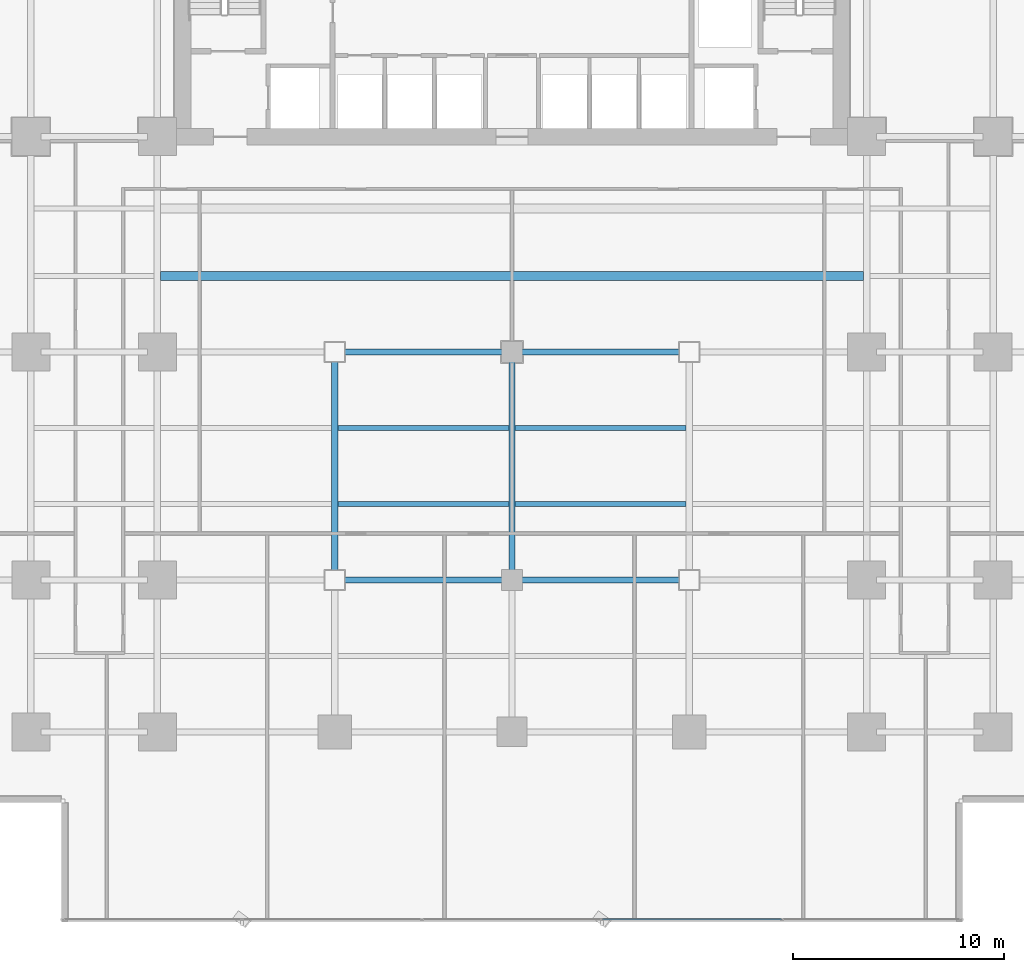
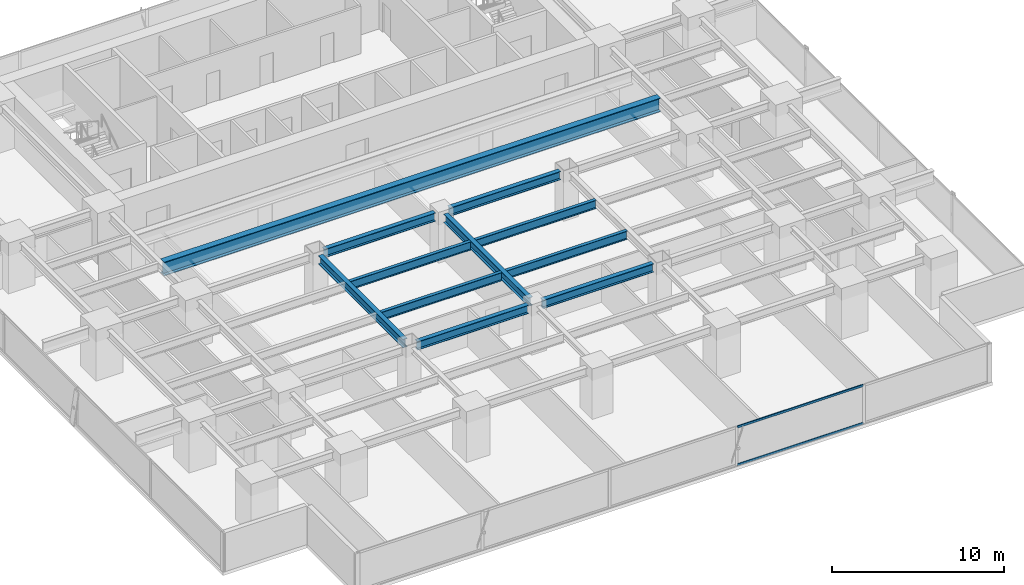
# One storey, part 10 of 33: 11 beams, 2 members, 1 element without a shape of its own.
"""IFC4 building model written with IfcOpenShell, lengths in metres."""

from ifc_helpers import new_model, si_unit, direction, frame, origin, origin_2d, place, context, subcontext, project, spatial, hollow_rectangle, i_section, extrude, source, transform, mapped, material, layer, layer_set, material_profile, profile_set, type_object, element, aggregate, save


model = new_model("IFC4")

# Units and contexts
model_context = context("Model", 3, precision=1e-05, world=origin(), true_north=direction((0.0, 1.0)))
body_context = subcontext(model_context, "Body", "Model", "MODEL_VIEW")
ifc_project = project(units=[si_unit("LENGTHUNIT", "METRE"), si_unit("AREAUNIT", "SQUARE_METRE"), si_unit("VOLUMEUNIT", "CUBIC_METRE"), si_unit("PLANEANGLEUNIT", "RADIAN"), si_unit("MASSUNIT", "GRAM", prefix="KILO")], contexts=[model_context])

# Site, building, storey
site_placement = place(None, origin())
site = spatial("IfcSite", under=ifc_project, at=site_placement, CompositionType="ELEMENT")
building_placement = place(site_placement, origin())
building = spatial("IfcBuilding", under=site, at=building_placement, Name="Sumidabori Civic Tower", CompositionType="ELEMENT")
storey_placement = place(building_placement, frame((0.0, 0.0, 38.0)))
storey = spatial("IfcBuildingStorey", under=building, at=storey_placement, Name="L09", CompositionType="ELEMENT", Elevation=38.0)

# Beams
ifc_material_1 = material(Name="Steel SN490", Category="steel")
ifc_material_profile_1 = material_profile(ifc_material_1, i_section(OverallWidth=0.300048828125, OverallDepth=0.60009765625, WebThickness=0.015380859375, FlangeThickness=0.030029296875, at=origin_2d()), Name="HE 600 B")
ifc_profile_set_1 = profile_set([ifc_material_profile_1], Name="Steel SN490")
beam_type_1 = type_object("IfcBeamType", Name="BM-GIRD-600", PredefinedType="BEAM", material=ifc_profile_set_1)
shared_shape_1 = source(origin(), body_context, "Body", "SweptSolid", [
    extrude(i_section(OverallWidth=0.300048828125, OverallDepth=0.60009765625, WebThickness=0.015380859375, FlangeThickness=0.030029296875, at=origin_2d()), origin(), (0.0, 0.0, 1.0), 7.43994140625),
])
for number, where, z_axis, x_axis, name in (
    (1, (-7.919921875, -10.800048828125, 3.06005859375), (1.0, 0.0, 0.0), (0.0, 1.0, 0.0), "Primary Girder L09 GX-09"),
    (2, (0.47998046875, -10.800048828125, 3.06005859375), (1.0, 0.0, 0.0), (0.0, 1.0, 0.0), "Primary Girder L09 GX-10"),
    (3, (-7.919921875, 0.0, 3.06005859375), (1.0, 0.0, 0.0), (0.0, 1.0, 0.0), "Primary Girder L09 GX-15"),
    (4, (0.47998046875, 0.0, 3.06005859375), (1.0, 0.0, 0.0), (0.0, 1.0, 0.0), "Primary Girder L09 GX-16"),
):
    element("IfcBeam", number, at=place(storey_placement, frame(where, z_axis=z_axis, x_axis=x_axis)), inside=storey, type_object=beam_type_1, Name=name, PredefinedType="BEAM", context=body_context, shape_type="MappedRepresentation", body=[
        mapped(shared_shape_1, transform((0.0, 0.0, 0.0), x_axis=(1.0, 0.0, 0.0), y_axis=(0.0, 1.0, 0.0), z_axis=(0.0, 0.0, 1.0), scale=1.0)),
    ])
shared_shape_2 = source(origin(), body_context, "Body", "SweptSolid", [
    extrude(i_section(OverallWidth=0.300048828125, OverallDepth=0.60009765625, WebThickness=0.015380859375, FlangeThickness=0.030029296875, at=origin_2d()), origin(), (0.0, 0.0, 1.0), 9.840087890625),
])
for number, where, z_axis, x_axis, name in (
    (5, (-8.39990234375, -10.320068359375, 3.06005859375), (0.0, 1.0, 0.0), (-1.0, 0.0, 0.0), "Primary Girder L09 GY-30"),
    (6, (0.0, -10.320068359375, 3.06005859375), (0.0, 1.0, 0.0), (-1.0, 0.0, 0.0), "Primary Girder L09 GY-32"),
):
    element("IfcBeam", number, at=place(storey_placement, frame(where, z_axis=z_axis, x_axis=x_axis)), inside=storey, type_object=beam_type_1, Name=name, PredefinedType="BEAM", context=body_context, shape_type="MappedRepresentation", body=[
        mapped(shared_shape_2, transform((0.0, 0.0, 0.0), x_axis=(1.0, 0.0, 0.0), y_axis=(0.0, 1.0, 0.0), z_axis=(0.0, 0.0, 1.0), scale=1.0)),
    ])
ifc_material_2 = material(Name="Steel SM570", Category="steel")
ifc_material_profile_2 = material_profile(ifc_material_2, i_section(OverallWidth=0.427978515625, OverallDepth=0.97509765625, WebThickness=0.02392578125, FlangeThickness=0.04296875, at=origin_2d()), Name="W36X395")
ifc_profile_set_2 = profile_set([ifc_material_profile_2], Name="Steel SM570")
beam_type_2 = type_object("IfcBeamType", Name="BM-HEAVY-W36B", PredefinedType="BEAM", material=ifc_profile_set_2)
shared_shape_3 = source(origin(), body_context, "Body", "SweptSolid", [
    extrude(i_section(OverallWidth=0.427978515625, OverallDepth=0.97509765625, WebThickness=0.02392578125, FlangeThickness=0.04296875, at=origin_2d()), origin(), (0.0, 0.0, 1.0), 33.2998046875),
])
beam_placement = place(storey_placement, frame((-16.64990234375, 3.60009765625, 2.87255859375), z_axis=(1.0, 0.0, 0.0), x_axis=(0.0, 1.0, 0.0)))
element("IfcBeam", 7, at=beam_placement, inside=storey, type_object=beam_type_2, Name="North Bay Floor Beam L09 JSTN-59", PredefinedType="BEAM", context=body_context, shape_type="MappedRepresentation", body=[
    mapped(shared_shape_3, transform((0.0, 0.0, 0.0), x_axis=(1.0, 0.0, 0.0), y_axis=(0.0, 1.0, 0.0), z_axis=(0.0, 0.0, 1.0), scale=1.0)),
])
ifc_material_profile_3 = material_profile(ifc_material_1, i_section(OverallWidth=0.219970703125, OverallDepth=0.60009765625, WebThickness=0.011962890625, FlangeThickness=0.01904296875, at=origin_2d()), Name="IPE 600")
ifc_profile_set_3 = profile_set([ifc_material_profile_3], Name="Steel SN490")
beam_type_3 = type_object("IfcBeamType", Name="BM-JST-600", PredefinedType="JOIST", material=ifc_profile_set_3)
shared_shape_4 = source(origin(), body_context, "Body", "SweptSolid", [
    extrude(i_section(OverallWidth=0.219970703125, OverallDepth=0.60009765625, WebThickness=0.011962890625, FlangeThickness=0.01904296875, at=origin_2d()), origin(), (0.0, 0.0, 1.0), 8.10009765625),
])
for number, where, z_axis, x_axis, name in (
    (8, (-8.25, -7.199951171875, 3.06005859375), (1.0, 0.0, 0.0), (0.0, 1.0, 0.0), "South Bay Floor Joist L09 JSTS-66"),
    (9, (0.14990234375, -7.199951171875, 3.06005859375), (1.0, 0.0, 0.0), (0.0, 1.0, 0.0), "South Bay Floor Joist L09 JSTS-67"),
    (10, (-8.25, -3.60009765625, 3.06005859375), (1.0, 0.0, 0.0), (0.0, 1.0, 0.0), "South Bay Floor Joist L09 JSTS-70"),
    (11, (0.14990234375, -3.60009765625, 3.06005859375), (1.0, 0.0, 0.0), (0.0, 1.0, 0.0), "South Bay Floor Joist L09 JSTS-71"),
):
    element("IfcBeam", number, at=place(storey_placement, frame(where, z_axis=z_axis, x_axis=x_axis)), inside=storey, type_object=beam_type_3, Name=name, PredefinedType="JOIST", context=body_context, shape_type="MappedRepresentation", body=[
        mapped(shared_shape_4, transform((0.0, 0.0, 0.0), x_axis=(1.0, 0.0, 0.0), y_axis=(0.0, 1.0, 0.0), z_axis=(0.0, 0.0, 1.0), scale=1.0)),
    ])

# Curtain wall, members
ifc_material_3 = material(Name="Anodised Bronze Aluminium AW-6063-T6", Category="aluminium")
ifc_layer = layer(ifc_material_3, 0.179931640625, Name="Anodised Bronze Aluminium AW-6063-T6")
ifc_layer_set = layer_set([ifc_layer], Name="Anodised Bronze Aluminium AW-6063-T6")
curtain_wall_type = type_object("IfcCurtainWallType", Name="CW-SYS-2", PredefinedType="NOTDEFINED", material=ifc_layer_set)
curtain_wall_placement = place(storey_placement, origin())
curtain_wall = element("IfcCurtainWall", 12, at=curtain_wall_placement, inside=storey, type_object=curtain_wall_type, Name="Curtain Wall CW:L09:R01", PredefinedType="NOTDEFINED")
ifc_material_profile_4 = material_profile(ifc_material_3, hollow_rectangle(XDim=0.06494140625, YDim=0.14990234375, WallThickness=0.0048828125, at=origin_2d()), Name="ALU TRANSOM 150x65")
ifc_profile_set_4 = profile_set([ifc_material_profile_4], Name="Anodised Bronze Aluminium AW-6063-T6")
member_type = type_object("IfcMemberType", Name="CW-TRN-150", PredefinedType="USERDEFINED", material=ifc_profile_set_4)
shared_shape_5 = source(origin(), body_context, "Body", "SweptSolid", [
    extrude(hollow_rectangle(XDim=0.06494140625, YDim=0.14990234375, WallThickness=0.0048828125, at=origin_2d()), origin(), (0.0, 0.0, 1.0), 8.4580078125),
])
member_1_placement = place(storey_placement, frame((4.299072265625, -26.8798828125, 0.032470703125), z_axis=(1.0, 0.0, 0.0), x_axis=(0.0, 1.0, 0.0)))
member_1 = element("IfcMember", 13, at=member_1_placement, type_object=member_type, Name="CW-2 transom 4.1", ObjectType="TRANSOM", PredefinedType="USERDEFINED", context=body_context, shape_type="MappedRepresentation", body=[
    mapped(shared_shape_5, transform((0.0, 0.0, 0.0), x_axis=(1.0, 0.0, 0.0), y_axis=(0.0, 1.0, 0.0), z_axis=(0.0, 0.0, 1.0), scale=1.0)),
])
member_2_placement = place(storey_placement, frame((4.299072265625, -26.8798828125, 2.70751953125), z_axis=(1.0, 0.0, 0.0), x_axis=(0.0, 1.0, 0.0)))
member_2 = element("IfcMember", 14, at=member_2_placement, type_object=member_type, Name="CW-2 transom 4.2", ObjectType="TRANSOM", PredefinedType="USERDEFINED", context=body_context, shape_type="MappedRepresentation", body=[
    mapped(shared_shape_5, transform((0.0, 0.0, 0.0), x_axis=(1.0, 0.0, 0.0), y_axis=(0.0, 1.0, 0.0), z_axis=(0.0, 0.0, 1.0), scale=1.0)),
])
aggregate(curtain_wall, [member_1, member_2])

save(model, "model.ifc")
